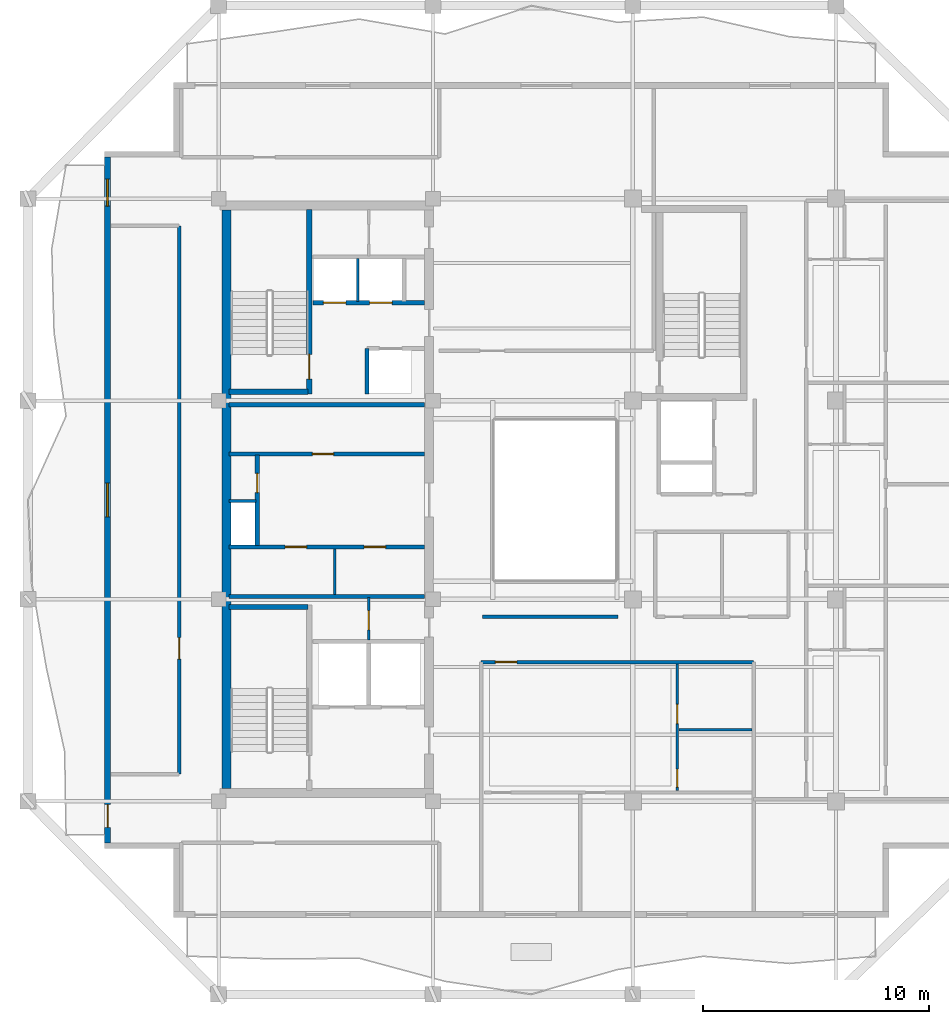
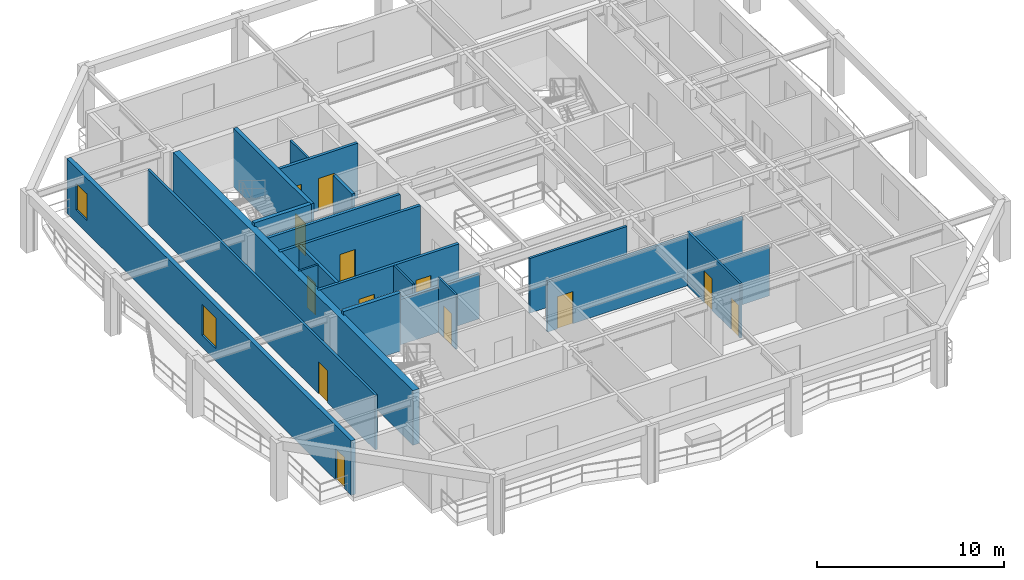
# One storey, part 3 of 10: 21 walls, 13 doors, 2 windows, 15 openings.
"""IFC4 building model written with IfcOpenShell, lengths in metres."""

from ifc_helpers import new_model, si_unit, direction, frame, frame_2d, origin, place, context, subcontext, project, spatial, rectangle, extrude, material, layer, layer_set, type_object, element, fill, save


model = new_model("IFC4")

# Units and contexts
model_context = context("Model", 3, precision=1e-05, world=origin(), true_north=direction((0.0, 1.0)))
body_context = subcontext(model_context, "Body", "Model", "MODEL_VIEW")
ifc_project = project(units=[si_unit("LENGTHUNIT", "METRE"), si_unit("AREAUNIT", "SQUARE_METRE"), si_unit("VOLUMEUNIT", "CUBIC_METRE"), si_unit("PLANEANGLEUNIT", "RADIAN"), si_unit("MASSUNIT", "GRAM", prefix="KILO")], contexts=[model_context])

# Site, building, storey
site_placement = place(None, origin())
site = spatial("IfcSite", under=ifc_project, at=site_placement, CompositionType="ELEMENT")
building_placement = place(site_placement, origin())
building = spatial("IfcBuilding", under=site, at=building_placement, Name="Kundavana Baori Tower", CompositionType="ELEMENT")
storey_placement = place(building_placement, frame((0.0, 0.0, 320.10009765625)))
storey = spatial("IfcBuildingStorey", under=building, at=storey_placement, Name="L79", CompositionType="ELEMENT", Elevation=320.10009765625)

# Walls
ifc_material_1 = material(Name="Concrete C50/60", Category="concrete")
ifc_layer_1 = layer(ifc_material_1, 0.39990234375, Name="WL-CORE-400")
ifc_layer_set_1 = layer_set([ifc_layer_1], Name="Concrete C50/60")
wall_type_1 = type_object("IfcWallType", Name="WL-CORE-400", PredefinedType="SHEAR", material=ifc_layer_set_1)
wall_1_placement = place(storey_placement, frame((15.7900390625, 15.81005859375, 0.0), z_axis=(0.0, 0.0, 1.0), x_axis=(0.0, 1.0, 0.0)))
element("IfcWall", 1, at=wall_1_placement, inside=storey, type_object=wall_type_1, Name="L79 Offset Core West Shear Wall", PredefinedType="SHEAR", context=body_context, shape_type="SweptSolid", body=[
    extrude(rectangle(XDim=25.6298828125, YDim=0.39990234375, at=frame_2d((12.81494140625, 0.0))), origin(), (0.0, 0.0, 1.0), 3.559814453125),
])
wall_2_placement = place(storey_placement, frame((15.89990234375, 23.860107421875, 0.0), z_axis=(0.0, 0.0, 1.0), x_axis=(1.0, 0.0, 0.0)))
element("IfcWall", 2, at=wall_2_placement, inside=storey, type_object=wall_type_1, Name="WL-L79-ST1-N", PredefinedType="SHEAR", context=body_context, shape_type="SweptSolid", body=[
    extrude(rectangle(XDim=3.52001953125, YDim=0.239990234375, at=frame_2d((1.760009765625, 0.0))), origin(), (0.0, 0.0, 1.0), 3.7998046875),
])

# Wall, opening, door
wall_3_placement = place(storey_placement, frame((19.4599609375, 33.300048828125, 0.0), z_axis=(0.0, 0.0, 1.0), x_axis=(0.0, 1.0, 0.0)))
wall_3 = element("IfcWall", 3, at=wall_3_placement, inside=storey, type_object=wall_type_1, Name="WL-L79-ST2-E", PredefinedType="SHEAR", context=body_context, shape_type="SweptSolid", body=[
    extrude(rectangle(XDim=8.179931640625, YDim=0.239990234375, at=frame_2d((4.08984375, 0.0))), origin(), (0.0, 0.0, 1.0), 3.7998046875),
])
opening_1_placement = place(wall_3_placement, frame((0.64990234375, 0.0, 0.0)))
opening_1 = element("IfcOpeningElement", 4, at=opening_1_placement, cuts=wall_3, Name="Opening FD-110", PredefinedType="OPENING", context=body_context, shape_type="SweptSolid", body=[
    extrude(rectangle(XDim=1.10009765625, YDim=2.10009765625, at=frame_2d((0.550048828125, 1.050048828125))), frame((0.0, 0.1298828125, 0.0), z_axis=(0.0, -1.0, 0.0), x_axis=(1.0, 0.0, 0.0)), (0.0, 0.0, 1.0), 0.260009765625),
])
ifc_material_2 = material(Name="Galvanised Steel Fire-Rated Door Leaf", Category="steel")
door_type_1 = type_object("IfcDoorType", Name="DR-FD120-1100", OperationType="NOTDEFINED", PredefinedType="DOOR", material=ifc_material_2)
door_1_placement = place(opening_1_placement, origin())
door_1 = element("IfcDoor", 5, at=door_1_placement, inside=storey, type_object=door_type_1, Name="DR-L79-ST2", OperationType="SINGLE_SWING_RIGHT", OverallHeight=2.10009765625, OverallWidth=1.10009765625, PredefinedType="DOOR", context=body_context, shape_type="SweptSolid", body=[
    extrude(rectangle(XDim=1.10009765625, YDim=2.10009765625, at=frame_2d((0.550048828125, 1.050048828125))), frame((0.0, 0.02490234375, 0.0), z_axis=(0.0, -1.0, 0.0), x_axis=(1.0, 0.0, 0.0)), (0.0, 0.0, 1.0), 0.050048828125),
])
fill(opening_1, door_1)

# Wall
wall_4_placement = place(storey_placement, frame((15.89990234375, 33.389892578125, 0.0), z_axis=(0.0, 0.0, 1.0), x_axis=(1.0, 0.0, 0.0)))
element("IfcWall", 6, at=wall_4_placement, inside=storey, type_object=wall_type_1, Name="WL-L79-ST2-S", PredefinedType="SHEAR", context=body_context, shape_type="SweptSolid", body=[
    extrude(rectangle(XDim=3.52001953125, YDim=0.239990234375, at=frame_2d((1.760009765625, 0.0))), origin(), (0.0, 0.0, 1.0), 3.7998046875),
])

# Wall, openings, door, windows
ifc_material_3 = material(Name="Kiln-Fired Terracotta Brick-Slip Masonry on Concrete C40/50", Category="masonry")
ifc_layer_2 = layer(ifc_material_3, 0.260009765625, Name="WL-EXT-BRK-260")
ifc_layer_set_2 = layer_set([ifc_layer_2], Name="Kiln-Fired Terracotta Brick-Slip Masonry on Concrete C40/50")
wall_type_2 = type_object("IfcWallType", Name="WL-EXT-BRK-260", PredefinedType="SOLIDWALL", material=ifc_layer_set_2)
wall_5_placement = place(storey_placement, frame((10.530029296875, 43.7900390625, 0.0), z_axis=(0.0, 0.0, 1.0), x_axis=(0.0, -1.0, 0.0)))
wall_5 = element("IfcWall", 7, at=wall_5_placement, inside=storey, type_object=wall_type_2, Name="L79 Exterior Insulated Facade Wall 10", PredefinedType="SOLIDWALL", context=body_context, shape_type="SweptSolid", body=[
    extrude(rectangle(XDim=30.380126953125, YDim=0.260009765625, at=frame_2d((15.18994140625, 0.0))), origin(), (0.0, 0.0, 1.0), 3.559814453125),
])
opening_2_placement = place(wall_5_placement, frame((28.68994140625, 0.0, 0.0)))
opening_2 = element("IfcOpeningElement", 8, at=opening_2_placement, cuts=wall_5, Name="Opening BD-1", PredefinedType="OPENING", context=body_context, shape_type="SweptSolid", body=[
    extrude(rectangle(XDim=1.0, YDim=2.050048828125, at=frame_2d((0.5, 1.02490234375))), frame((0.0, 0.14013671875, 0.0), z_axis=(0.0, -1.0, 0.0), x_axis=(1.0, 0.0, 0.0)), (0.0, 0.0, 1.0), 0.280029296875),
])
opening_3_placement = place(wall_5_placement, frame((14.43994140625, 0.0, 0.800048828125)))
opening_3 = element("IfcOpeningElement", 9, at=opening_3_placement, cuts=wall_5, Name="Opening W-02", PredefinedType="OPENING", context=body_context, shape_type="SweptSolid", body=[
    extrude(rectangle(XDim=1.5, YDim=2.0, at=frame_2d((0.75, 1.0))), frame((0.0, 0.14013671875, 0.0), z_axis=(0.0, -1.0, 0.0), x_axis=(1.0, 0.0, 0.0)), (0.0, 0.0, 1.0), 0.280029296875),
])
opening_4_placement = place(wall_5_placement, frame((0.97509765625, 0.0, 0.800048828125)))
opening_4 = element("IfcOpeningElement", 10, at=opening_4_placement, cuts=wall_5, Name="Opening W-03", PredefinedType="OPENING", context=body_context, shape_type="SweptSolid", body=[
    extrude(rectangle(XDim=1.199951171875, YDim=1.75, at=frame_2d((0.60009765625, 0.875))), frame((0.0, 0.14013671875, 0.0), z_axis=(0.0, -1.0, 0.0), x_axis=(1.0, 0.0, 0.0)), (0.0, 0.0, 1.0), 0.280029296875),
])
ifc_material_4 = material(Name="Architectural Patinated Bronze Metalwork")
door_type_2 = type_object("IfcDoorType", Name="DR-EXT-LOG-1000", OperationType="NOTDEFINED", PredefinedType="DOOR", material=ifc_material_4)
door_2_placement = place(opening_2_placement, frame((1.0, 0.0, 0.0), z_axis=(0.0, 0.0, 1.0), x_axis=(-1.0, 0.0, 0.0)))
door_2 = element("IfcDoor", 11, at=door_2_placement, inside=storey, type_object=door_type_2, Name="L79 Loggia Balcony Access Door W", OperationType="SINGLE_SWING_RIGHT", OverallHeight=2.050048828125, OverallWidth=1.0, PredefinedType="DOOR", context=body_context, shape_type="SweptSolid", body=[
    extrude(rectangle(XDim=1.0, YDim=2.050048828125, at=frame_2d((0.5, 1.02490234375))), frame((0.0, 0.02490234375, 0.0), z_axis=(0.0, -1.0, 0.0), x_axis=(1.0, 0.0, 0.0)), (0.0, 0.0, 1.0), 0.050048828125),
])
fill(opening_2, door_2)
ifc_material_5 = material(Name="Double-Glazed Solar-Control Low-E Insulated Glass", Category="glass")
window_type_1 = type_object("IfcWindowType", Name="WIN-LOG-1200x1750", PartitioningType="SINGLE_PANEL", PredefinedType="WINDOW", material=ifc_material_5)
window_1_placement = place(opening_4_placement, origin())
window_1 = element("IfcWindow", 12, at=window_1_placement, inside=storey, type_object=window_type_1, Name="L79 Recessed Loggia Window W-3", OverallHeight=1.75, OverallWidth=1.199951171875, PartitioningType="SINGLE_PANEL", PredefinedType="WINDOW", context=body_context, shape_type="SweptSolid", body=[
    extrude(rectangle(XDim=1.199951171875, YDim=1.75, at=frame_2d((0.60009765625, 0.875))), frame((0.0, 0.030029296875, 0.0), z_axis=(0.0, -1.0, 0.0), x_axis=(1.0, 0.0, 0.0)), (0.0, 0.0, 1.0), 0.06005859375),
])
fill(opening_4, window_1)
ifc_material_6 = material(Name="Double-Glazed Solar-Control Low-E Insulated Glass", Category="glass")
window_type_2 = type_object("IfcWindowType", Name="WIN-LOG-1500x2000", PartitioningType="SINGLE_PANEL", PredefinedType="WINDOW", material=ifc_material_6)
window_2_placement = place(opening_3_placement, origin())
window_2 = element("IfcWindow", 13, at=window_2_placement, inside=storey, type_object=window_type_2, Name="L79 Recessed Loggia Window W-2", OverallHeight=2.0, OverallWidth=1.5, PartitioningType="SINGLE_PANEL", PredefinedType="WINDOW", context=body_context, shape_type="SweptSolid", body=[
    extrude(rectangle(XDim=1.5, YDim=2.0, at=frame_2d((0.75, 1.0))), frame((0.0, 0.030029296875, 0.0), z_axis=(0.0, -1.0, 0.0), x_axis=(1.0, 0.0, 0.0)), (0.0, 0.0, 1.0), 0.06005859375),
])
fill(opening_3, window_2)

# Wall, opening, door
ifc_material_7 = material(Name="Acoustic Gypsum Plasterboard on Galvanised Steel Studs", Category="steel")
ifc_layer_3 = layer(ifc_material_7, 0.1201171875, Name="WL-PART-120")
ifc_layer_set_3 = layer_set([ifc_layer_3], Name="Acoustic Gypsum Plasterboard on Galvanised Steel Studs")
wall_type_3 = type_object("IfcWallType", Name="WL-PART-120", PredefinedType="PARTITIONING", material=ifc_layer_set_3)
wall_6_placement = place(storey_placement, frame((22.10009765625, 22.39990234375, 0.0), z_axis=(0.0, 0.0, 1.0), x_axis=(0.0, 1.0, 0.0)))
wall_6 = element("IfcWall", 14, at=wall_6_placement, inside=storey, type_object=wall_type_3, Name="WL-L79-CSMK-D1", PredefinedType="PARTITIONING", context=body_context, shape_type="SweptSolid", body=[
    extrude(rectangle(XDim=1.880126953125, YDim=0.1201171875, at=frame_2d((0.93994140625, 0.0))), origin(), (0.0, 0.0, 1.0), 3.559814453125),
])
opening_5_placement = place(wall_6_placement, frame((0.449951171875, 0.0, 0.0)))
opening_5 = element("IfcOpeningElement", 15, at=opening_5_placement, cuts=wall_6, Name="Opening FD-085", PredefinedType="OPENING", context=body_context, shape_type="SweptSolid", body=[
    extrude(rectangle(XDim=0.85009765625, YDim=2.06005859375, at=frame_2d((0.425048828125, 1.030029296875))), frame((0.0, 0.070068359375, 0.0), z_axis=(0.0, -1.0, 0.0), x_axis=(1.0, 0.0, 0.0)), (0.0, 0.0, 1.0), 0.14013671875),
])
ifc_material_8 = material(Name="Galvanised Steel Fire-Rated Door Leaf", Category="steel")
door_type_3 = type_object("IfcDoorType", Name="DR-FD60-850", OperationType="NOTDEFINED", PredefinedType="DOOR", material=ifc_material_8)
door_3_placement = place(opening_5_placement, origin())
door_3 = element("IfcDoor", 16, at=door_3_placement, inside=storey, type_object=door_type_3, Name="DR-L79-CSMK1", OperationType="SINGLE_SWING_LEFT", OverallHeight=2.06005859375, OverallWidth=0.85009765625, PredefinedType="DOOR", context=body_context, shape_type="SweptSolid", body=[
    extrude(rectangle(XDim=0.85009765625, YDim=2.06005859375, at=frame_2d((0.425048828125, 1.030029296875))), frame((0.0, 0.02490234375, 0.0), z_axis=(0.0, -1.0, 0.0), x_axis=(1.0, 0.0, 0.0)), (0.0, 0.0, 1.0), 0.050048828125),
])
fill(opening_5, door_3)

# Walls
wall_7_placement = place(storey_placement, frame((20.60009765625, 24.419921875, 0.0), z_axis=(0.0, 0.0, 1.0), x_axis=(0.0, 1.0, 0.0)))
element("IfcWall", 17, at=wall_7_placement, inside=storey, type_object=wall_type_3, Name="WL-L79-FRLOW-DIV", PredefinedType="PARTITIONING", context=body_context, shape_type="SweptSolid", body=[
    extrude(rectangle(XDim=2.02001953125, YDim=0.1201171875, at=frame_2d((1.010009765625, 0.0))), origin(), (0.0, 0.0, 1.0), 3.559814453125),
])
wall_8_placement = place(storey_placement, frame((15.89990234375, 28.56005859375, 0.0), z_axis=(0.0, 0.0, 1.0), x_axis=(1.0, 0.0, 0.0)))
element("IfcWall", 18, at=wall_8_placement, inside=storey, type_object=wall_type_3, Name="WL-L79-RSRW-N", PredefinedType="PARTITIONING", context=body_context, shape_type="SweptSolid", body=[
    extrude(rectangle(XDim=1.2001953125, YDim=0.1201171875, at=frame_2d((0.60009765625, 0.0))), origin(), (0.0, 0.0, 1.0), 3.559814453125),
])
wall_9_placement = place(storey_placement, frame((21.6201171875, 37.39990234375, 0.0), z_axis=(0.0, 0.0, 1.0), x_axis=(0.0, 1.0, 0.0)))
element("IfcWall", 19, at=wall_9_placement, inside=storey, type_object=wall_type_3, Name="WL-L79-HR-DIV1", PredefinedType="PARTITIONING", context=body_context, shape_type="SweptSolid", body=[
    extrude(rectangle(XDim=1.900146484375, YDim=0.1201171875, at=frame_2d((0.9501953125, 0.0))), origin(), (0.0, 0.0, 1.0), 3.559814453125),
])

# Wall, opening, door
ifc_material_9 = material(Name="Fire-Rated Gypsum Drywall on Galvanised Steel Studs", Category="steel")
ifc_layer_4 = layer(ifc_material_9, 0.14990234375, Name="WL-PART-150")
ifc_layer_set_4 = layer_set([ifc_layer_4], Name="Fire-Rated Gypsum Drywall on Galvanised Steel Studs")
wall_type_4 = type_object("IfcWallType", Name="WL-PART-150", PredefinedType="PARTITIONING", material=ifc_layer_set_4)
wall_10_placement = place(storey_placement, frame((27.080078125, 21.419921875, 0.0), z_axis=(0.0, 0.0, 1.0), x_axis=(1.0, 0.0, 0.0)))
wall_10 = element("IfcWall", 20, at=wall_10_placement, inside=storey, type_object=wall_type_4, Name="WL-L79-RS", PredefinedType="PARTITIONING", context=body_context, shape_type="SweptSolid", body=[
    extrude(rectangle(XDim=12.06982421875, YDim=0.14990234375, at=frame_2d((6.034912109375, 0.0))), origin(), (0.0, 0.0, 1.0), 3.260009765625),
])
opening_6_placement = place(wall_10_placement, frame((0.6298828125, 0.0, 0.0)))
opening_6 = element("IfcOpeningElement", 21, at=opening_6_placement, cuts=wall_10, Name="Opening FD-095", PredefinedType="OPENING", context=body_context, shape_type="SweptSolid", body=[
    extrude(rectangle(XDim=0.949951171875, YDim=2.10009765625, at=frame_2d((0.47509765625, 1.050048828125))), frame((0.0, 0.0849609375, 0.0), z_axis=(0.0, -1.0, 0.0), x_axis=(1.0, 0.0, 0.0)), (0.0, 0.0, 1.0), 0.169921875),
])
ifc_material_10 = material(Name="Engineered Teak Fire-Rated Timber Door Leaf", Category="wood")
door_type_4 = type_object("IfcDoorType", Name="DR-FD60-950", OperationType="NOTDEFINED", PredefinedType="DOOR", material=ifc_material_10)
door_4_placement = place(opening_6_placement, frame((0.949951171875, 0.0, 0.0), z_axis=(0.0, 0.0, 1.0), x_axis=(-1.0, 0.0, 0.0)))
door_4 = element("IfcDoor", 22, at=door_4_placement, inside=storey, type_object=door_type_4, Name="DR-L79-S1-ENT", OperationType="SINGLE_SWING_RIGHT", OverallHeight=2.10009765625, OverallWidth=0.949951171875, PredefinedType="DOOR", context=body_context, shape_type="SweptSolid", body=[
    extrude(rectangle(XDim=0.949951171875, YDim=2.10009765625, at=frame_2d((0.47509765625, 1.050048828125))), frame((0.0, 0.02490234375, 0.0), z_axis=(0.0, -1.0, 0.0), x_axis=(1.0, 0.0, 0.0)), (0.0, 0.0, 1.0), 0.050048828125),
])
fill(opening_6, door_4)

# Wall
wall_11_placement = place(storey_placement, frame((27.14990234375, 23.419921875, 0.0), z_axis=(0.0, 0.0, 1.0), x_axis=(1.0, 0.0, 0.0)))
element("IfcWall", 23, at=wall_11_placement, inside=storey, type_object=wall_type_4, Name="WL-L79-RST", PredefinedType="PARTITIONING", context=body_context, shape_type="SweptSolid", body=[
    extrude(rectangle(XDim=6.0, YDim=0.14990234375, at=frame_2d((3.0, 0.0))), origin(), (0.0, 0.0, 1.0), 3.559814453125),
])

# Wall, opening, door
wall_12_placement = place(storey_placement, frame((13.699951171875, 16.449951171875, 0.0), z_axis=(0.0, 0.0, 1.0), x_axis=(0.0, 1.0, 0.0)))
wall_12 = element("IfcWall", 24, at=wall_12_placement, inside=storey, type_object=wall_type_4, Name="WL-L79-RW", PredefinedType="PARTITIONING", context=body_context, shape_type="SweptSolid", body=[
    extrude(rectangle(XDim=24.300048828125, YDim=0.14990234375, at=frame_2d((12.14990234375, 0.0))), origin(), (0.0, 0.0, 1.0), 3.559814453125),
])
opening_7_placement = place(wall_12_placement, frame((5.10009765625, 0.0, 0.0)))
opening_7 = element("IfcOpeningElement", 25, at=opening_7_placement, cuts=wall_12, Name="Opening ID-095", PredefinedType="OPENING", context=body_context, shape_type="SweptSolid", body=[
    extrude(rectangle(XDim=0.949951171875, YDim=2.080078125, at=frame_2d((0.47509765625, 1.0400390625))), frame((0.0, 0.0849609375, 0.0), z_axis=(0.0, -1.0, 0.0), x_axis=(1.0, 0.0, 0.0)), (0.0, 0.0, 1.0), 0.169921875),
])
ifc_material_11 = material(Name="Engineered Teak Solid-Core Timber Veneer", Category="wood")
door_type_5 = type_object("IfcDoorType", Name="DR-INT-950", OperationType="NOTDEFINED", PredefinedType="DOOR", material=ifc_material_11)
door_5_placement = place(opening_7_placement, origin())
door_5 = element("IfcDoor", 26, at=door_5_placement, inside=storey, type_object=door_type_5, Name="DR-L79-RLNGW", OperationType="SINGLE_SWING_LEFT", OverallHeight=2.080078125, OverallWidth=0.949951171875, PredefinedType="DOOR", context=body_context, shape_type="SweptSolid", body=[
    extrude(rectangle(XDim=0.949951171875, YDim=2.080078125, at=frame_2d((0.47509765625, 1.0400390625))), frame((0.0, 0.02490234375, 0.0), z_axis=(0.0, -1.0, 0.0), x_axis=(1.0, 0.0, 0.0)), (0.0, 0.0, 1.0), 0.050048828125),
])
fill(opening_7, door_5)

# Wall, openings, doors
ifc_material_12 = material(Name="Autoclaved Aerated Concrete Blockwork Masonry", Category="masonry")
ifc_layer_5 = layer(ifc_material_12, 0.179931640625, Name="WL-SHAFT-180")
ifc_layer_set_5 = layer_set([ifc_layer_5], Name="Autoclaved Aerated Concrete Blockwork Masonry")
wall_type_5 = type_object("IfcWallType", Name="WL-SHAFT-180", PredefinedType="SOLIDWALL", material=ifc_layer_set_5)
wall_13_placement = place(storey_placement, frame((15.89990234375, 26.52001953125, 0.0), z_axis=(0.0, 0.0, 1.0), x_axis=(1.0, 0.0, 0.0)))
wall_13 = element("IfcWall", 27, at=wall_13_placement, inside=storey, type_object=wall_type_5, Name="WL-L79-LPLOW-N", PredefinedType="SOLIDWALL", context=body_context, shape_type="SweptSolid", body=[
    extrude(rectangle(XDim=8.68017578125, YDim=0.179931640625, at=frame_2d((4.340087890625, 0.0))), origin(), (0.0, 0.0, 1.0), 3.559814453125),
])
opening_8_placement = place(wall_13_placement, frame((2.5, 0.0, 0.0)))
opening_8 = element("IfcOpeningElement", 28, at=opening_8_placement, cuts=wall_13, Name="Opening FD-095", PredefinedType="OPENING", context=body_context, shape_type="SweptSolid", body=[
    extrude(rectangle(XDim=0.949951171875, YDim=2.10009765625, at=frame_2d((0.47509765625, 1.050048828125))), frame((0.0, 0.10009765625, 0.0), z_axis=(0.0, -1.0, 0.0), x_axis=(1.0, 0.0, 0.0)), (0.0, 0.0, 1.0), 0.199951171875),
])
opening_9_placement = place(wall_13_placement, frame((6.0, 0.0, 0.0)))
opening_9 = element("IfcOpeningElement", 29, at=opening_9_placement, cuts=wall_13, Name="Opening FD-095", PredefinedType="OPENING", context=body_context, shape_type="SweptSolid", body=[
    extrude(rectangle(XDim=0.949951171875, YDim=2.10009765625, at=frame_2d((0.47509765625, 1.050048828125))), frame((0.0, 0.10009765625, 0.0), z_axis=(0.0, -1.0, 0.0), x_axis=(1.0, 0.0, 0.0)), (0.0, 0.0, 1.0), 0.199951171875),
])
door_6_placement = place(opening_8_placement, origin())
door_6 = element("IfcDoor", 30, at=door_6_placement, inside=storey, type_object=door_type_4, Name="DR-L79-FRLOW1", OperationType="SINGLE_SWING_LEFT", OverallHeight=2.10009765625, OverallWidth=0.949951171875, PredefinedType="DOOR", context=body_context, shape_type="SweptSolid", body=[
    extrude(rectangle(XDim=0.949951171875, YDim=2.10009765625, at=frame_2d((0.47509765625, 1.050048828125))), frame((0.0, 0.02490234375, 0.0), z_axis=(0.0, -1.0, 0.0), x_axis=(1.0, 0.0, 0.0)), (0.0, 0.0, 1.0), 0.050048828125),
])
fill(opening_8, door_6)
door_7_placement = place(opening_9_placement, origin())
door_7 = element("IfcDoor", 31, at=door_7_placement, inside=storey, type_object=door_type_4, Name="DR-L79-FRLOW2", OperationType="SINGLE_SWING_RIGHT", OverallHeight=2.10009765625, OverallWidth=0.949951171875, PredefinedType="DOOR", context=body_context, shape_type="SweptSolid", body=[
    extrude(rectangle(XDim=0.949951171875, YDim=2.10009765625, at=frame_2d((0.47509765625, 1.050048828125))), frame((0.0, 0.02490234375, 0.0), z_axis=(0.0, -1.0, 0.0), x_axis=(1.0, 0.0, 0.0)), (0.0, 0.0, 1.0), 0.050048828125),
])
fill(opening_9, door_7)

# Wall
wall_14_placement = place(storey_placement, frame((15.89990234375, 24.330078125, 0.0), z_axis=(0.0, 0.0, 1.0), x_axis=(1.0, 0.0, 0.0)))
element("IfcWall", 32, at=wall_14_placement, inside=storey, type_object=wall_type_5, Name="WL-L79-LPLOW-S", PredefinedType="SOLIDWALL", context=body_context, shape_type="SweptSolid", body=[
    extrude(rectangle(XDim=8.68017578125, YDim=0.179931640625, at=frame_2d((4.340087890625, 0.0))), origin(), (0.0, 0.0, 1.0), 2.9599609375),
])

# Wall, opening, door
wall_15_placement = place(storey_placement, frame((17.159912109375, 26.580078125, 0.0), z_axis=(0.0, 0.0, 1.0), x_axis=(0.0, 1.0, 0.0)))
wall_15 = element("IfcWall", 33, at=wall_15_placement, inside=storey, type_object=wall_type_5, Name="WL-L79-RSRW-E", PredefinedType="SOLIDWALL", context=body_context, shape_type="SweptSolid", body=[
    extrude(rectangle(XDim=4.02001953125, YDim=0.179931640625, at=frame_2d((2.010009765625, 0.0))), origin(), (0.0, 0.0, 1.0), 3.559814453125),
])
opening_10_placement = place(wall_15_placement, frame((2.35009765625, 0.0, 0.0)))
opening_10 = element("IfcOpeningElement", 34, at=opening_10_placement, cuts=wall_15, Name="Opening FD-085", PredefinedType="OPENING", context=body_context, shape_type="SweptSolid", body=[
    extrude(rectangle(XDim=0.85009765625, YDim=2.06005859375, at=frame_2d((0.425048828125, 1.030029296875))), frame((0.0, 0.10009765625, 0.0), z_axis=(0.0, -1.0, 0.0), x_axis=(1.0, 0.0, 0.0)), (0.0, 0.0, 1.0), 0.199951171875),
])
door_8_placement = place(opening_10_placement, origin())
door_8 = element("IfcDoor", 35, at=door_8_placement, inside=storey, type_object=door_type_3, Name="DR-L79-CLN", OperationType="SINGLE_SWING_RIGHT", OverallHeight=2.06005859375, OverallWidth=0.85009765625, PredefinedType="DOOR", context=body_context, shape_type="SweptSolid", body=[
    extrude(rectangle(XDim=0.85009765625, YDim=2.06005859375, at=frame_2d((0.425048828125, 1.030029296875))), frame((0.0, 0.02490234375, 0.0), z_axis=(0.0, -1.0, 0.0), x_axis=(1.0, 0.0, 0.0)), (0.0, 0.0, 1.0), 0.050048828125),
])
fill(opening_10, door_8)

wall_16_placement = place(storey_placement, frame((15.89990234375, 30.639892578125, 0.0), z_axis=(0.0, 0.0, 1.0), x_axis=(1.0, 0.0, 0.0)))
wall_16 = element("IfcWall", 36, at=wall_16_placement, inside=storey, type_object=wall_type_5, Name="WL-L79-LPMID-S", PredefinedType="SOLIDWALL", context=body_context, shape_type="SweptSolid", body=[
    extrude(rectangle(XDim=8.68017578125, YDim=0.179931640625, at=frame_2d((4.340087890625, 0.0))), origin(), (0.0, 0.0, 1.0), 3.559814453125),
])
opening_11_placement = place(wall_16_placement, frame((3.699951171875, 0.0, 0.0)))
opening_11 = element("IfcOpeningElement", 37, at=opening_11_placement, cuts=wall_16, Name="Opening FD-095", PredefinedType="OPENING", context=body_context, shape_type="SweptSolid", body=[
    extrude(rectangle(XDim=0.949951171875, YDim=2.10009765625, at=frame_2d((0.47509765625, 1.050048828125))), frame((0.0, 0.10009765625, 0.0), z_axis=(0.0, -1.0, 0.0), x_axis=(1.0, 0.0, 0.0)), (0.0, 0.0, 1.0), 0.199951171875),
])
door_9_placement = place(opening_11_placement, frame((0.949951171875, 0.0, 0.0), z_axis=(0.0, 0.0, 1.0), x_axis=(-1.0, 0.0, 0.0)))
door_9 = element("IfcDoor", 38, at=door_9_placement, inside=storey, type_object=door_type_4, Name="DR-L79-FRMID1", OperationType="SINGLE_SWING_RIGHT", OverallHeight=2.10009765625, OverallWidth=0.949951171875, PredefinedType="DOOR", context=body_context, shape_type="SweptSolid", body=[
    extrude(rectangle(XDim=0.949951171875, YDim=2.10009765625, at=frame_2d((0.47509765625, 1.050048828125))), frame((0.0, 0.02490234375, 0.0), z_axis=(0.0, -1.0, 0.0), x_axis=(1.0, 0.0, 0.0)), (0.0, 0.0, 1.0), 0.050048828125),
])
fill(opening_11, door_9)

# Walls
wall_17_placement = place(storey_placement, frame((15.89990234375, 32.820068359375, 0.0), z_axis=(0.0, 0.0, 1.0), x_axis=(1.0, 0.0, 0.0)))
element("IfcWall", 39, at=wall_17_placement, inside=storey, type_object=wall_type_5, Name="WL-L79-LPMID-N", PredefinedType="SOLIDWALL", context=body_context, shape_type="SweptSolid", body=[
    extrude(rectangle(XDim=8.68017578125, YDim=0.179931640625, at=frame_2d((4.340087890625, 0.0))), origin(), (0.0, 0.0, 1.0), 2.9599609375),
])
wall_18_placement = place(storey_placement, frame((22.02001953125, 33.300048828125, 0.0), z_axis=(0.0, 0.0, 1.0), x_axis=(0.0, 1.0, 0.0)))
element("IfcWall", 40, at=wall_18_placement, inside=storey, type_object=wall_type_5, Name="WL-L79-LP11-W", PredefinedType="SOLIDWALL", context=body_context, shape_type="SweptSolid", body=[
    extrude(rectangle(XDim=2.010009765625, YDim=0.179931640625, at=frame_2d((1.0048828125, 0.0))), origin(), (0.0, 0.0, 1.0), 3.559814453125),
])

# Wall, openings, doors
wall_19_placement = place(storey_placement, frame((19.639892578125, 37.340087890625, 0.0), z_axis=(0.0, 0.0, 1.0), x_axis=(1.0, 0.0, 0.0)))
wall_19 = element("IfcWall", 41, at=wall_19_placement, inside=storey, type_object=wall_type_5, Name="WL-L79-HRLOB-N", PredefinedType="SOLIDWALL", context=body_context, shape_type="SweptSolid", body=[
    extrude(rectangle(XDim=4.940185546875, YDim=0.179931640625, at=frame_2d((2.47021484375, 0.0))), origin(), (0.0, 0.0, 1.0), 3.559814453125),
])
opening_12_placement = place(wall_19_placement, frame((0.449951171875, 0.0, 0.0)))
opening_12 = element("IfcOpeningElement", 42, at=opening_12_placement, cuts=wall_19, Name="Opening LD-100", PredefinedType="OPENING", context=body_context, shape_type="SweptSolid", body=[
    extrude(rectangle(XDim=1.0, YDim=2.10009765625, at=frame_2d((0.5, 1.050048828125))), frame((0.0, 0.10009765625, 0.0), z_axis=(0.0, -1.0, 0.0), x_axis=(1.0, 0.0, 0.0)), (0.0, 0.0, 1.0), 0.199951171875),
])
opening_13_placement = place(wall_19_placement, frame((2.5, 0.0, 0.0)))
opening_13 = element("IfcOpeningElement", 43, at=opening_13_placement, cuts=wall_19, Name="Opening LD-100", PredefinedType="OPENING", context=body_context, shape_type="SweptSolid", body=[
    extrude(rectangle(XDim=1.0, YDim=2.10009765625, at=frame_2d((0.5, 1.050048828125))), frame((0.0, 0.10009765625, 0.0), z_axis=(0.0, -1.0, 0.0), x_axis=(1.0, 0.0, 0.0)), (0.0, 0.0, 1.0), 0.199951171875),
])
ifc_material_13 = material(Name="Galvanised Steel Fire-Rated Door Leaf", Category="steel")
door_type_6 = type_object("IfcDoorType", Name="DR-SLIDE-LD1000", OperationType="NOTDEFINED", PredefinedType="DOOR", material=ifc_material_13)
door_10_placement = place(opening_12_placement, frame((1.0, 0.0, 0.0), z_axis=(0.0, 0.0, 1.0), x_axis=(-1.0, 0.0, 0.0)))
door_10 = element("IfcDoor", 44, at=door_10_placement, inside=storey, type_object=door_type_6, Name="DR-L79-LD-LP09", OperationType="DOUBLE_DOOR_SLIDING", OverallHeight=2.10009765625, OverallWidth=1.0, PredefinedType="DOOR", context=body_context, shape_type="SweptSolid", body=[
    extrude(rectangle(XDim=1.0, YDim=2.10009765625, at=frame_2d((0.5, 1.050048828125))), frame((0.0, 0.02490234375, 0.0), z_axis=(0.0, -1.0, 0.0), x_axis=(1.0, 0.0, 0.0)), (0.0, 0.0, 1.0), 0.050048828125),
])
fill(opening_12, door_10)
door_11_placement = place(opening_13_placement, frame((1.0, 0.0, 0.0), z_axis=(0.0, 0.0, 1.0), x_axis=(-1.0, 0.0, 0.0)))
door_11 = element("IfcDoor", 45, at=door_11_placement, inside=storey, type_object=door_type_6, Name="DR-L79-LD-LP10", OperationType="DOUBLE_DOOR_SLIDING", OverallHeight=2.10009765625, OverallWidth=1.0, PredefinedType="DOOR", context=body_context, shape_type="SweptSolid", body=[
    extrude(rectangle(XDim=1.0, YDim=2.10009765625, at=frame_2d((0.5, 1.050048828125))), frame((0.0, 0.02490234375, 0.0), z_axis=(0.0, -1.0, 0.0), x_axis=(1.0, 0.0, 0.0)), (0.0, 0.0, 1.0), 0.050048828125),
])
fill(opening_13, door_11)

ifc_material_14 = material(Name="Autoclaved Aerated Concrete Blockwork Masonry", Category="masonry")
ifc_layer_6 = layer(ifc_material_14, 0.125, Name="WL-WET-120")
ifc_layer_set_6 = layer_set([ifc_layer_6], Name="Autoclaved Aerated Concrete Blockwork Masonry")
wall_type_6 = type_object("IfcWallType", Name="WL-WET-120", PredefinedType="PLUMBINGWALL", material=ifc_layer_set_6)
wall_20_placement = place(storey_placement, frame((35.77001953125, 15.720947265625, 0.0), z_axis=(0.0, 0.0, 1.0), x_axis=(0.0, 1.0, 0.0)))
wall_20 = element("IfcWall", 46, at=wall_20_placement, inside=storey, type_object=wall_type_6, Name="WL-L79-S1-KT", PredefinedType="PLUMBINGWALL", context=body_context, shape_type="SweptSolid", body=[
    extrude(rectangle(XDim=5.619140625, YDim=0.125, at=frame_2d((2.8095703125, 0.0))), origin(), (0.0, 0.0, 1.0), 3.559814453125),
])
opening_14_placement = place(wall_20_placement, frame((0.159912109375, 0.0, 0.0)))
opening_14 = element("IfcOpeningElement", 47, at=opening_14_placement, cuts=wall_20, Name="Opening WD-080", PredefinedType="OPENING", context=body_context, shape_type="SweptSolid", body=[
    extrude(rectangle(XDim=0.800048828125, YDim=2.050048828125, at=frame_2d((0.39990234375, 1.02490234375))), frame((0.0, 0.072509765625, 0.0), z_axis=(0.0, -1.0, 0.0), x_axis=(1.0, 0.0, 0.0)), (0.0, 0.0, 1.0), 0.14501953125),
])
opening_15_placement = place(wall_20_placement, frame((2.97705078125, 0.0, 0.0)))
opening_15 = element("IfcOpeningElement", 48, at=opening_15_placement, cuts=wall_20, Name="Opening ID-085", PredefinedType="OPENING", context=body_context, shape_type="SweptSolid", body=[
    extrude(rectangle(XDim=0.85009765625, YDim=2.080078125, at=frame_2d((0.425048828125, 1.0400390625))), frame((0.0, 0.072509765625, 0.0), z_axis=(0.0, -1.0, 0.0), x_axis=(1.0, 0.0, 0.0)), (0.0, 0.0, 1.0), 0.14501953125),
])
ifc_material_15 = material(Name="Engineered Teak Solid-Core Timber Veneer", Category="wood")
door_type_7 = type_object("IfcDoorType", Name="DR-INT-850", OperationType="NOTDEFINED", PredefinedType="DOOR", material=ifc_material_15)
door_12_placement = place(opening_15_placement, origin())
door_12 = element("IfcDoor", 49, at=door_12_placement, inside=storey, type_object=door_type_7, Name="DR-L79-S1-KT", OperationType="SINGLE_SWING_RIGHT", OverallHeight=2.080078125, OverallWidth=0.85009765625, PredefinedType="DOOR", context=body_context, shape_type="SweptSolid", body=[
    extrude(rectangle(XDim=0.85009765625, YDim=2.080078125, at=frame_2d((0.425048828125, 1.0400390625))), frame((0.0, 0.02490234375, 0.0), z_axis=(0.0, -1.0, 0.0), x_axis=(1.0, 0.0, 0.0)), (0.0, 0.0, 1.0), 0.050048828125),
])
fill(opening_15, door_12)
ifc_material_16 = material(Name="Engineered Teak Solid-Core Timber Veneer", Category="wood")
door_type_8 = type_object("IfcDoorType", Name="DR-WET-800", OperationType="NOTDEFINED", PredefinedType="DOOR", material=ifc_material_16)
door_13_placement = place(opening_14_placement, origin())
door_13 = element("IfcDoor", 50, at=door_13_placement, inside=storey, type_object=door_type_8, Name="DR-L79-S1-BT", OperationType="SINGLE_SWING_LEFT", OverallHeight=2.050048828125, OverallWidth=0.800048828125, PredefinedType="DOOR", context=body_context, shape_type="SweptSolid", body=[
    extrude(rectangle(XDim=0.800048828125, YDim=2.050048828125, at=frame_2d((0.39990234375, 1.02490234375))), frame((0.0, 0.02490234375, 0.0), z_axis=(0.0, -1.0, 0.0), x_axis=(1.0, 0.0, 0.0)), (0.0, 0.0, 1.0), 0.050048828125),
])
fill(opening_14, door_13)

# Wall
wall_21_placement = place(storey_placement, frame((35.85009765625, 18.41796875, 0.0), z_axis=(0.0, 0.0, 1.0), x_axis=(1.0, 0.0, 0.0)))
element("IfcWall", 51, at=wall_21_placement, inside=storey, type_object=wall_type_6, Name="WL-L79-S1-BT", PredefinedType="PLUMBINGWALL", context=body_context, shape_type="SweptSolid", body=[
    extrude(rectangle(XDim=3.219970703125, YDim=0.125, at=frame_2d((1.60986328125, 0.0))), origin(), (0.0, 0.0, 1.0), 3.260009765625),
])

save(model, "model.ifc")
